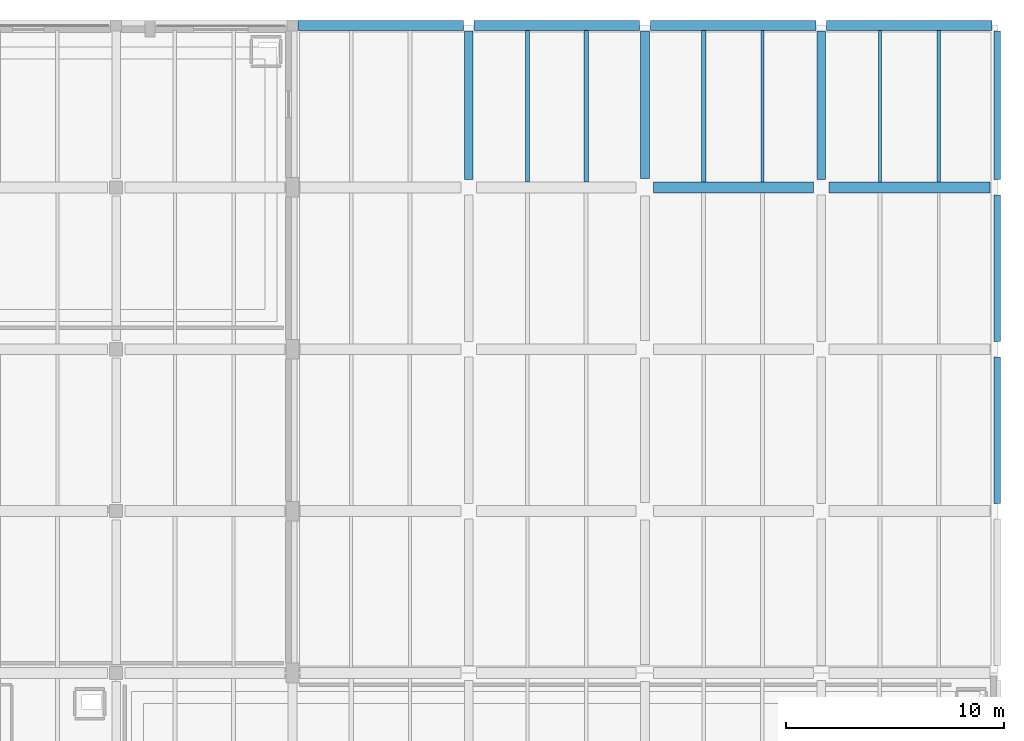
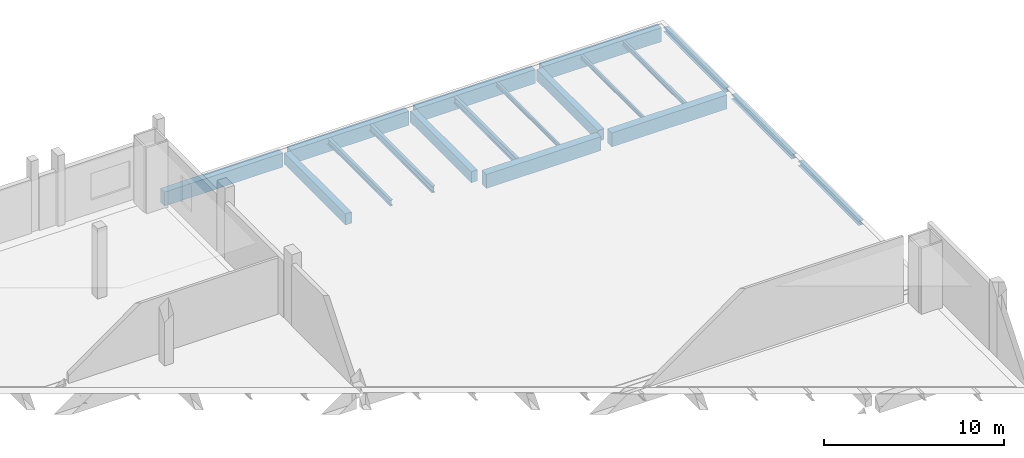
# One storey, part 51 of 104: 18 beams.
"""IFC4 building model written with IfcOpenShell, lengths in metres."""

import ifcopenshell
import ifcopenshell.guid

model = None  # the IFC model being written
_history = None  # IfcOwnerHistory: only IFC2X3 demands one
_inside = {}  # id of a spatial element -> (the spatial element, [elements in it])
_under = {}  # id of a project, library or spatial element -> (it, [spatial elements below it])
_declared = {}  # id of a project -> (the project, [libraries it declares])
_typed = {}  # id of a type object -> (the type object, [elements of that type])
_made_of = {}  # id of a material, layer set ... -> (it, [elements and type objects made of it])


def new_model(schema):
    """Start an empty IFC model of exactly this schema.

    Asked for "IFC4X3", IfcOpenShell would pick the latest addendum, in which some entities
    have other attributes; the version numbers below select the first issue.
    IFC2X3 requires an IfcOwnerHistory on every rooted entity: one is made here for all.
    """
    global model, _history
    if schema == "IFC4X3":
        model = ifcopenshell.file(schema_version=(4, 3, 0, 0))
    else:
        model = ifcopenshell.file(schema=schema)
    _inside.clear()
    _under.clear()
    _declared.clear()
    _typed.clear()
    _made_of.clear()
    _history = None
    if model.schema == "IFC2X3":
        org = make("IfcOrganization", Name="unknown")
        user = make(
            "IfcPersonAndOrganization",
            ThePerson=make("IfcPerson", FamilyName="unknown"),
            TheOrganization=org,
        )
        app = make(
            "IfcApplication",
            ApplicationDeveloper=org,
            Version="unknown",
            ApplicationFullName="unknown",
            ApplicationIdentifier="unknown",
        )
        _history = make(
            "IfcOwnerHistory",
            OwningUser=user,
            OwningApplication=app,
            ChangeAction="ADDED",
            CreationDate=0,
        )
    return model


def make(cls, **values):
    """One entity of the class cls with the attributes given. An attribute that is None is left unset."""
    return model.create_entity(
        cls, **{name: value for name, value in values.items() if value is not None}
    )


def rooted(cls, **values):
    """An entity with a GlobalId (a new one), such as an element, a storey or a relation."""
    return make(cls, GlobalId=ifcopenshell.guid.new(), OwnerHistory=_history, **values)


def si_unit(unit_type, name, prefix=None):
    """IfcSIUnit, for example si_unit("LENGTHUNIT", "METRE", prefix="MILLI")."""
    return make("IfcSIUnit", UnitType=unit_type, Prefix=prefix, Name=name)


def assignment(units):
    """IfcUnitAssignment: the units of a project."""
    return None if units is None else make("IfcUnitAssignment", Units=units)


def point(xyz):
    """IfcCartesianPoint."""
    return None if xyz is None else make("IfcCartesianPoint", Coordinates=xyz)


def direction(xyz):
    """IfcDirection."""
    return None if xyz is None else make("IfcDirection", DirectionRatios=xyz)


def frame(location, z_axis=None, x_axis=None):
    """IfcAxis2Placement3D, a coordinate frame: its origin and axes. An axis left out is left unset."""
    return make(
        "IfcAxis2Placement3D",
        Location=point(location),
        Axis=direction(z_axis),
        RefDirection=direction(x_axis),
    )


def frame_2d(location, x_axis=None):
    """IfcAxis2Placement2D, a coordinate frame in the plane: its origin and x axis."""
    return make(
        "IfcAxis2Placement2D", Location=point(location), RefDirection=direction(x_axis)
    )


def origin():
    """The frame at (0, 0, 0) with its axes left unset."""
    return frame((0.0, 0.0, 0.0))


def origin_2d():
    """The frame at (0, 0) in the plane with its x axis left unset."""
    return frame_2d((0.0, 0.0))


def place(relative_to, where):
    """IfcLocalPlacement: puts the frame where relative to a parent placement (None: the world)."""
    return make(
        "IfcLocalPlacement", PlacementRelTo=relative_to, RelativePlacement=where
    )


def context(
    kind, dimensions, precision=None, world=None, true_north=None, identifier=None
):
    """IfcGeometricRepresentationContext, for example the 3D "Model" context."""
    return make(
        "IfcGeometricRepresentationContext",
        ContextIdentifier=identifier,
        ContextType=kind,
        CoordinateSpaceDimension=dimensions,
        Precision=precision,
        WorldCoordinateSystem=world,
        TrueNorth=true_north,
    )


def subcontext(parent, identifier, kind, view, scale=None):
    """IfcGeometricRepresentationSubContext, for example "Body" below "Model"."""
    return make(
        "IfcGeometricRepresentationSubContext",
        ContextIdentifier=identifier,
        ContextType=kind,
        ParentContext=parent,
        TargetScale=scale,
        TargetView=view,
    )


def project(units=None, contexts=None):
    """IfcProject with its units and contexts."""
    return rooted(
        "IfcProject",
        Name="project",
        RepresentationContexts=contexts,
        UnitsInContext=assignment(units),
    )


def spatial(cls, under=None, at=None, **own):
    """A site, building, storey or space (cls), placed at a placement, below another one or the project."""
    s = rooted(cls, ObjectPlacement=at, **own)
    if under is not None:
        _under.setdefault(under.id(), (under, []))[1].append(s)
    return s


def profile(cls, at=None, kind="AREA", **sizes):
    """A parametric profile (cls). Its sizes go by their IFC names, for example OverallWidth=200.0."""
    return make(cls, ProfileType=kind, Position=at, **sizes)


def rectangle(**sizes):
    """IfcRectangleProfileDef."""
    return profile("IfcRectangleProfileDef", **sizes)


def i_section(**sizes):
    """IfcIShapeProfileDef."""
    return profile("IfcIShapeProfileDef", **sizes)


def extrude(swept, where, along, depth):
    """IfcExtrudedAreaSolid: the profile swept, set in the frame where, extruded along a direction by depth."""
    return make(
        "IfcExtrudedAreaSolid",
        SweptArea=swept,
        Position=where,
        ExtrudedDirection=direction(along),
        Depth=depth,
    )


def shape(context_of_items, identifier, shape_type, items):
    """IfcShapeRepresentation: the items that make up one representation, for example the "Body"."""
    return make(
        "IfcShapeRepresentation",
        ContextOfItems=context_of_items,
        RepresentationIdentifier=identifier,
        RepresentationType=shape_type,
        Items=items,
    )


def material(Name=None, Category=None):
    """IfcMaterial."""
    return make("IfcMaterial", Name=Name, Category=Category)


def material_profile(
    of_material, cross_section, Name=None, Category=None, Priority=None
):
    """IfcMaterialProfile: a cross section and its material."""
    return make(
        "IfcMaterialProfile",
        Name=Name,
        Material=of_material,
        Profile=cross_section,
        Priority=Priority,
        Category=Category,
    )


def profile_set(profiles, Name=None, composite=None):
    """IfcMaterialProfileSet."""
    return make(
        "IfcMaterialProfileSet",
        Name=Name,
        MaterialProfiles=profiles,
        CompositeProfile=composite,
    )


def made_of(thing, what):
    """Note that an element or type object is made of a material, layer set ...; save() writes the relation."""
    if what is not None:
        _made_of.setdefault(what.id(), (what, []))[1].append(thing)
    return thing


def type_object(cls, material=None, **own):
    """A type object (cls), such as IfcWallType, which elements share."""
    return made_of(rooted(cls, **own), material)


def element(
    cls,
    number,
    at=None,
    inside=None,
    cuts=None,
    type_object=None,
    material=None,
    context=None,
    identifier="Body",
    shape_type=None,
    held_by="IfcProductDefinitionShape",
    body=None,
    shapes=None,
    **own,
):
    """One element of the class cls, such as IfcWall. Its Tag is "e" and its number.

    at: its placement. inside: the storey or other place that contains it. cuts: it is an
    opening in that element (IfcRelVoidsElement). A single representation is given by context,
    identifier, shape_type and body (its items); several are given by shapes. held_by: the class
    of the entity that holds the representations. save() writes the other relations.
    """
    e = rooted(cls, Tag="e%d" % number, ObjectPlacement=at, **own)
    if body is not None:
        shapes = [shape(context, identifier, shape_type, body)]
    if shapes is not None:
        e.Representation = make(held_by, Representations=shapes)
    if inside is not None:
        _inside.setdefault(inside.id(), (inside, []))[1].append(e)
    if cuts is not None:
        rooted(
            "IfcRelVoidsElement", RelatingBuildingElement=cuts, RelatedOpeningElement=e
        )
    if type_object is not None:
        _typed.setdefault(type_object.id(), (type_object, []))[1].append(e)
    return made_of(e, material)


def aggregate(whole, parts):
    """IfcRelAggregates: a whole, such as a stair, and the parts it consists of."""
    return rooted("IfcRelAggregates", RelatingObject=whole, RelatedObjects=parts)


def save(model, path):
    """Write the relations noted so far, then the file.

    IfcRelAggregates (storeys below a building ...), IfcRelContainedInSpatialStructure (elements
    in a storey), IfcRelDefinesByType, IfcRelAssociatesMaterial and IfcRelDeclares: one each for
    every whole, place, type object, material and project.
    """
    for whole, parts in _under.values():
        aggregate(whole, parts)
    for where, things in _inside.values():
        rooted(
            "IfcRelContainedInSpatialStructure",
            RelatedElements=things,
            RelatingStructure=where,
        )
    for kind, things in _typed.values():
        rooted("IfcRelDefinesByType", RelatedObjects=things, RelatingType=kind)
    for what, things in _made_of.values():
        rooted("IfcRelAssociatesMaterial", RelatedObjects=things, RelatingMaterial=what)
    for by, libraries in _declared.values():
        rooted("IfcRelDeclares", RelatingContext=by, RelatedDefinitions=libraries)
    model.write(path)


model = new_model("IFC4")

# Units and contexts
model_context = context("Model", 3, precision=1e-05, world=origin(), true_north=direction((0.0, 1.0)))
body_context = subcontext(model_context, "Body", "Model", "MODEL_VIEW")
ifc_project = project(units=[si_unit("LENGTHUNIT", "METRE"), si_unit("AREAUNIT", "SQUARE_METRE"), si_unit("VOLUMEUNIT", "CUBIC_METRE"), si_unit("PLANEANGLEUNIT", "RADIAN"), si_unit("MASSUNIT", "GRAM", prefix="KILO")], contexts=[model_context])

# Site, building, storey
site_placement = place(None, origin())
site = spatial("IfcSite", under=ifc_project, at=site_placement, CompositionType="ELEMENT")
building_placement = place(site_placement, origin())
building = spatial("IfcBuilding", under=site, at=building_placement, Name="Kaelora Sail Theatre", CompositionType="ELEMENT")
storey_placement = place(building_placement, frame((0.0, 0.0, 5.39990234375)))
storey = spatial("IfcBuildingStorey", under=building, at=storey_placement, Name="L01", CompositionType="ELEMENT", Elevation=5.39990234375)

# Beams
ifc_material_1 = material(Name="Steel S355", Category="steel")
ifc_material_profile_1 = material_profile(ifc_material_1, i_section(OverallWidth=0.18994140625, OverallDepth=0.449951171875, WebThickness=0.009521484375, FlangeThickness=0.0146484375, FilletRadius=0.02099609375, at=origin_2d()), Name="IPE 450")
ifc_profile_set_1 = profile_set([ifc_material_profile_1], Name="Steel S355")
beam_type_1 = type_object("IfcBeamType", Name="STR-BM-BM-IPE450", PredefinedType="BEAM", material=ifc_profile_set_1)
for number, where, z_axis, x_axis, name in (
    (1, (144.60009765625, 105.909912109375, -0.52001953125), (0.0, 1.0, 0.0), (-1.0, 0.0, 0.0), "Secondary floor joist 18/O-2 (L01)"),
    (2, (150.0, 105.909912109375, -0.52001953125), (0.0, 1.0, 0.0), (-1.0, 0.0, 0.0), "Secondary floor joist 19/O-1 (L01)"),
):
    element("IfcBeam", number, at=place(storey_placement, frame(where, z_axis=z_axis, x_axis=x_axis)), inside=storey, type_object=beam_type_1, Name=name, PredefinedType="BEAM", context=body_context, shape_type="SweptSolid", body=[
        extrude(i_section(OverallWidth=0.18994140625, OverallDepth=0.449951171875, WebThickness=0.009521484375, FlangeThickness=0.0146484375, FilletRadius=0.02099609375, at=origin_2d()), origin(), (0.0, 0.0, 1.0), 6.965087890625),
    ])
ifc_material_2 = material(Name="Concrete C40/50", Category="concrete")
ifc_material_profile_2 = material_profile(ifc_material_2, rectangle(XDim=0.39990234375, YDim=0.75, at=origin_2d()), Name="RC-BM 400x750")
ifc_profile_set_2 = profile_set([ifc_material_profile_2], Name="Concrete C40/50")
beam_type_2 = type_object("IfcBeamType", Name="STR-BM-BM-RC4075", PredefinedType="BEAM", material=ifc_profile_set_2)
beam_1_placement = place(storey_placement, frame((139.199951171875, 106.010009765625, -0.669921875), z_axis=(0.0, 1.0, 0.0), x_axis=(-1.0, 0.0, 0.0)))
element("IfcBeam", 3, at=beam_1_placement, inside=storey, type_object=beam_type_2, Name="Primary beam 18 O-P (L01)", PredefinedType="BEAM", context=body_context, shape_type="SweptSolid", body=[
    extrude(rectangle(XDim=0.39990234375, YDim=0.75, at=origin_2d()), origin(), (0.0, 0.0, 1.0), 6.840087890625),
])
beam_2_placement = place(storey_placement, frame((147.300048828125, 106.06005859375, -0.669921875), z_axis=(0.0, 1.0, 0.0), x_axis=(-1.0, 0.0, 0.0)))
element("IfcBeam", 4, at=beam_2_placement, inside=storey, type_object=beam_type_2, Name="Primary beam 19 O-P (L01)", PredefinedType="BEAM", context=body_context, shape_type="SweptSolid", body=[
    extrude(rectangle(XDim=0.39990234375, YDim=0.75, at=origin_2d()), origin(), (0.0, 0.0, 1.0), 6.7900390625),
])
beam_3_placement = place(storey_placement, frame((155.39990234375, 106.010009765625, -0.669921875), z_axis=(0.0, 1.0, 0.0), x_axis=(-1.0, 0.0, 0.0)))
element("IfcBeam", 5, at=beam_3_placement, inside=storey, type_object=beam_type_2, Name="Primary beam 20 O-P (L01)", PredefinedType="BEAM", context=body_context, shape_type="SweptSolid", body=[
    extrude(rectangle(XDim=0.39990234375, YDim=0.75, at=origin_2d()), origin(), (0.0, 0.0, 1.0), 6.840087890625),
])
ifc_material_3 = material(Name="Concrete C45/55", Category="concrete")
ifc_material_profile_3 = material_profile(ifc_material_3, rectangle(XDim=0.5, YDim=0.949951171875, at=origin_2d()), Name="RC-GRD 500x950")
ifc_profile_set_3 = profile_set([ifc_material_profile_3], Name="Concrete C45/55")
beam_type_3 = type_object("IfcBeamType", Name="STR-BM-GR-RC5095", PredefinedType="T_BEAM", material=ifc_profile_set_3)
beam_4_placement = place(storey_placement, frame((147.699951171875, 105.659912109375, -0.77001953125), z_axis=(1.0, 0.0, 0.0), x_axis=(0.0, 1.0, 0.0)))
element("IfcBeam", 6, at=beam_4_placement, inside=storey, type_object=beam_type_3, Name="Primary beam O 19-20 (L01)", PredefinedType="T_BEAM", context=body_context, shape_type="SweptSolid", body=[
    extrude(rectangle(XDim=0.5, YDim=0.949951171875, at=origin_2d()), origin(), (0.0, 0.0, 1.0), 7.35009765625),
])
beam_5_placement = place(storey_placement, frame((155.75, 105.659912109375, -0.77001953125), z_axis=(1.0, 0.0, 0.0), x_axis=(0.0, 1.0, 0.0)))
element("IfcBeam", 7, at=beam_5_placement, inside=storey, type_object=beam_type_3, Name="Primary beam O 20-21 (L01)", PredefinedType="T_BEAM", context=body_context, shape_type="SweptSolid", body=[
    extrude(rectangle(XDim=0.5, YDim=0.949951171875, at=origin_2d()), origin(), (0.0, 0.0, 1.0), 7.39990234375),
])
ifc_material_4 = material(Name="Steel S355", Category="steel")
ifc_material_profile_4 = material_profile(ifc_material_4, i_section(OverallWidth=0.135009765625, OverallDepth=0.27001953125, WebThickness=0.006591796875, FlangeThickness=0.01025390625, FilletRadius=0.014892578125, at=origin_2d()), Name="IPE 270")
ifc_profile_set_4 = profile_set([ifc_material_profile_4], Name="Steel S355")
beam_type_4 = type_object("IfcBeamType", Name="STR-BM-JS-IPE270", PredefinedType="JOIST", material=ifc_profile_set_4)
for number, where, z_axis, x_axis, name in (
    (8, (152.699951171875, 105.909912109375, -0.429931640625), (0.0, 1.0, 0.0), (-1.0, 0.0, 0.0), "Secondary floor joist 19/O-2 (L01)"),
    (9, (158.10009765625, 105.909912109375, -0.429931640625), (0.0, 1.0, 0.0), (-1.0, 0.0, 0.0), "Secondary floor joist 20/O-1 (L01)"),
):
    element("IfcBeam", number, at=place(storey_placement, frame(where, z_axis=z_axis, x_axis=x_axis)), inside=storey, type_object=beam_type_4, Name=name, PredefinedType="JOIST", context=body_context, shape_type="SweptSolid", body=[
        extrude(i_section(OverallWidth=0.135009765625, OverallDepth=0.27001953125, WebThickness=0.006591796875, FlangeThickness=0.01025390625, FilletRadius=0.014892578125, at=origin_2d()), origin(), (0.0, 0.0, 1.0), 6.965087890625),
    ])
ifc_material_5 = material(Name="Steel S355", Category="steel")
ifc_material_profile_5 = material_profile(ifc_material_5, i_section(OverallWidth=0.14990234375, OverallDepth=0.300048828125, WebThickness=0.007080078125, FlangeThickness=0.0107421875, FilletRadius=0.014892578125, at=origin_2d()), Name="IPE 300")
ifc_profile_set_5 = profile_set([ifc_material_profile_5], Name="Steel S355")
beam_type_5 = type_object("IfcBeamType", Name="STR-BM-JS-IPE300", PredefinedType="JOIST", material=ifc_profile_set_5)
beam_6_placement = place(storey_placement, frame((160.800048828125, 105.909912109375, -0.44482421875), z_axis=(0.0, 1.0, 0.0), x_axis=(-1.0, 0.0, 0.0)))
element("IfcBeam", 10, at=beam_6_placement, inside=storey, type_object=beam_type_5, Name="Secondary floor joist 20/O-2 (L01)", PredefinedType="JOIST", context=body_context, shape_type="SweptSolid", body=[
    extrude(i_section(OverallWidth=0.14990234375, OverallDepth=0.300048828125, WebThickness=0.007080078125, FlangeThickness=0.0107421875, FilletRadius=0.014892578125, at=origin_2d()), origin(), (0.0, 0.0, 1.0), 6.965087890625),
])
ifc_material_6 = material(Name="Steel S355", Category="steel")
ifc_material_profile_6 = material_profile(ifc_material_6, i_section(OverallWidth=0.179931640625, OverallDepth=0.39990234375, WebThickness=0.008544921875, FlangeThickness=0.013427734375, FilletRadius=0.02099609375, at=origin_2d()), Name="IPE 400")
ifc_profile_set_6 = profile_set([ifc_material_profile_6], Name="Steel S355")
beam_type_6 = type_object("IfcBeamType", Name="STR-BM-JS-IPE400", PredefinedType="JOIST", material=ifc_profile_set_6)
beam_7_placement = place(storey_placement, frame((141.89990234375, 105.909912109375, -0.494873046875), z_axis=(0.0, 1.0, 0.0), x_axis=(-1.0, 0.0, 0.0)))
element("IfcBeam", 11, at=beam_7_placement, inside=storey, type_object=beam_type_6, Name="Secondary floor joist 18/O-1 (L01)", PredefinedType="JOIST", context=body_context, shape_type="SweptSolid", body=[
    extrude(i_section(OverallWidth=0.179931640625, OverallDepth=0.39990234375, WebThickness=0.008544921875, FlangeThickness=0.013427734375, FilletRadius=0.02099609375, at=origin_2d()), origin(), (0.0, 0.0, 1.0), 6.965087890625),
])
ifc_material_7 = material(Name="Steel S355", Category="steel")
ifc_material_profile_7 = material_profile(ifc_material_7, i_section(OverallWidth=0.300048828125, OverallDepth=0.300048828125, WebThickness=0.010986328125, FlangeThickness=0.01904296875, FilletRadius=0.027099609375, at=origin_2d()), Name="HEB 300")
ifc_profile_set_7 = profile_set([ifc_material_profile_7], Name="Steel S355")
beam_type_7 = type_object("IfcBeamType", Name="STR-BM-SP-HEB300", PredefinedType="SPANDREL", material=ifc_profile_set_7)
beam_8_placement = place(storey_placement, frame((163.5, 91.1298828125, -0.44482421875), z_axis=(0.0, 1.0, 0.0), x_axis=(-1.0, 0.0, 0.0)))
element("IfcBeam", 12, at=beam_8_placement, inside=storey, type_object=beam_type_7, Name="Primary beam 21 M-N (L01)", PredefinedType="SPANDREL", context=body_context, shape_type="SweptSolid", body=[
    extrude(i_section(OverallWidth=0.300048828125, OverallDepth=0.300048828125, WebThickness=0.010986328125, FlangeThickness=0.01904296875, FilletRadius=0.027099609375, at=origin_2d()), origin(), (0.0, 0.0, 1.0), 6.740234375),
])
beam_9_placement = place(storey_placement, frame((163.5, 98.570068359375, -0.44482421875), z_axis=(0.0, 1.0, 0.0), x_axis=(-1.0, 0.0, 0.0)))
element("IfcBeam", 13, at=beam_9_placement, inside=storey, type_object=beam_type_7, Name="Primary beam 21 N-O (L01)", PredefinedType="SPANDREL", context=body_context, shape_type="SweptSolid", body=[
    extrude(i_section(OverallWidth=0.300048828125, OverallDepth=0.300048828125, WebThickness=0.010986328125, FlangeThickness=0.01904296875, FilletRadius=0.027099609375, at=origin_2d()), origin(), (0.0, 0.0, 1.0), 6.739990234375),
])
beam_10_placement = place(storey_placement, frame((163.5, 106.010009765625, -0.44482421875), z_axis=(0.0, 1.0, 0.0), x_axis=(-1.0, 0.0, 0.0)))
element("IfcBeam", 14, at=beam_10_placement, inside=storey, type_object=beam_type_7, Name="Primary beam 21 O-P (L01)", PredefinedType="SPANDREL", context=body_context, shape_type="SweptSolid", body=[
    extrude(i_section(OverallWidth=0.300048828125, OverallDepth=0.300048828125, WebThickness=0.010986328125, FlangeThickness=0.01904296875, FilletRadius=0.027099609375, at=origin_2d()), origin(), (0.0, 0.0, 1.0), 6.840087890625),
])
ifc_material_8 = material(Name="Concrete C45/55", Category="concrete")
ifc_material_profile_8 = material_profile(ifc_material_8, rectangle(XDim=0.449951171875, YDim=0.949951171875, at=origin_2d()), Name="RC-SPN 450x950")
ifc_profile_set_8 = profile_set([ifc_material_profile_8], Name="Concrete C45/55")
beam_type_8 = type_object("IfcBeamType", Name="STR-BM-SP-RC4595", PredefinedType="SPANDREL", material=ifc_profile_set_8)
beam_11_placement = place(storey_placement, frame((131.35009765625, 113.10009765625, -0.77001953125), z_axis=(1.0, 0.0, 0.0), x_axis=(0.0, 1.0, 0.0)))
element("IfcBeam", 15, at=beam_11_placement, inside=storey, type_object=beam_type_8, Name="Primary beam P 17-18 (L01)", PredefinedType="SPANDREL", context=body_context, shape_type="SweptSolid", body=[
    extrude(rectangle(XDim=0.449951171875, YDim=0.949951171875, at=origin_2d()), origin(), (0.0, 0.0, 1.0), 7.599853515625),
])
beam_12_placement = place(storey_placement, frame((139.449951171875, 113.10009765625, -0.77001953125), z_axis=(1.0, 0.0, 0.0), x_axis=(0.0, 1.0, 0.0)))
element("IfcBeam", 16, at=beam_12_placement, inside=storey, type_object=beam_type_8, Name="Primary beam P 18-19 (L01)", PredefinedType="SPANDREL", context=body_context, shape_type="SweptSolid", body=[
    extrude(rectangle(XDim=0.449951171875, YDim=0.949951171875, at=origin_2d()), origin(), (0.0, 0.0, 1.0), 7.60009765625),
])
beam_13_placement = place(storey_placement, frame((147.550048828125, 113.10009765625, -0.77001953125), z_axis=(1.0, 0.0, 0.0), x_axis=(0.0, 1.0, 0.0)))
element("IfcBeam", 17, at=beam_13_placement, inside=storey, type_object=beam_type_8, Name="Primary beam P 19-20 (L01)", PredefinedType="SPANDREL", context=body_context, shape_type="SweptSolid", body=[
    extrude(rectangle(XDim=0.449951171875, YDim=0.949951171875, at=origin_2d()), origin(), (0.0, 0.0, 1.0), 7.599853515625),
])
beam_14_placement = place(storey_placement, frame((155.64990234375, 113.10009765625, -0.77001953125), z_axis=(1.0, 0.0, 0.0), x_axis=(0.0, 1.0, 0.0)))
element("IfcBeam", 18, at=beam_14_placement, inside=storey, type_object=beam_type_8, Name="Primary beam P 20-21 (L01)", PredefinedType="SPANDREL", context=body_context, shape_type="SweptSolid", body=[
    extrude(rectangle(XDim=0.449951171875, YDim=0.949951171875, at=origin_2d()), origin(), (0.0, 0.0, 1.0), 7.60009765625),
])

save(model, "model.ifc")
